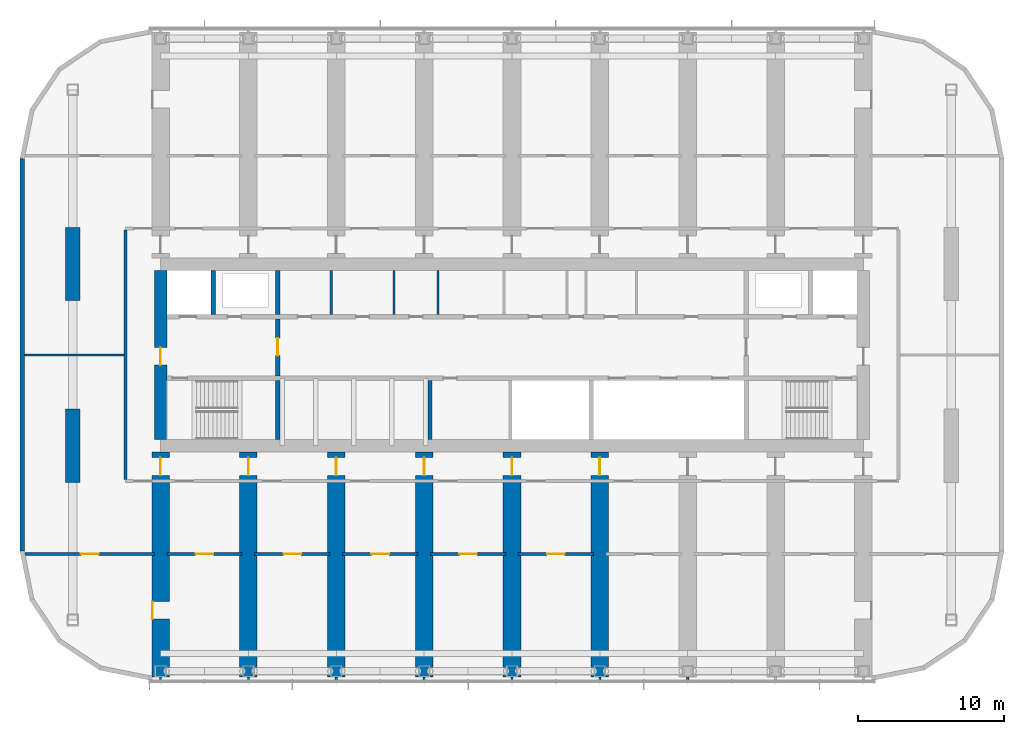
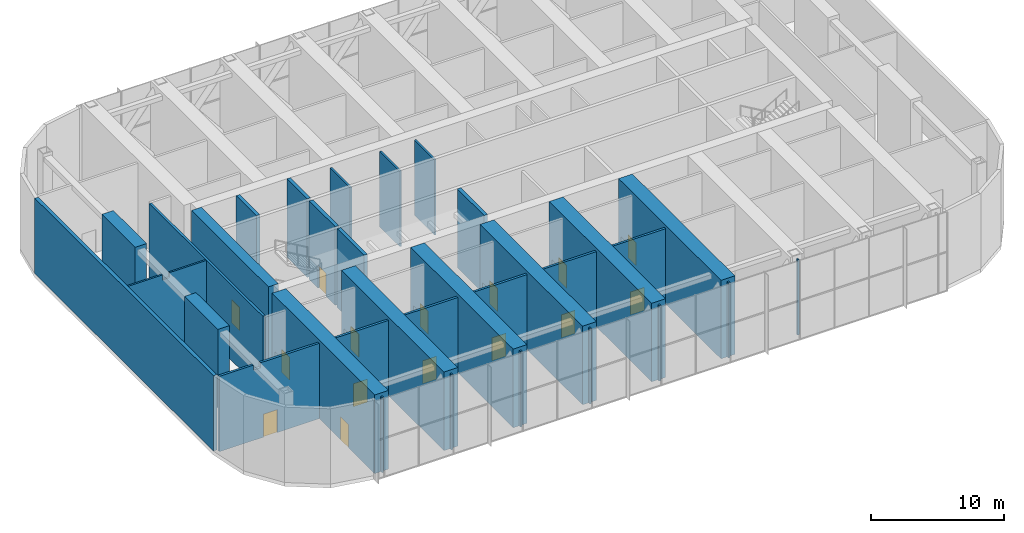
# One storey, part 8 of 22: 33 walls, 15 doors, 15 openings.
"""IFC4 building model written with IfcOpenShell, lengths in metres."""

from ifc_helpers import new_model, si_unit, direction, frame, frame_2d, origin, place, context, subcontext, project, spatial, polyline, rectangle, outline, extrude, clip, halfspace, material, layer, layer_set, type_object, element, fill, save


model = new_model("IFC4")

# Units and contexts
model_context = context("Model", 3, precision=1e-05, world=origin(), true_north=direction((0.0, 1.0)))
body_context = subcontext(model_context, "Body", "Model", "MODEL_VIEW")
ifc_project = project(units=[si_unit("LENGTHUNIT", "METRE"), si_unit("AREAUNIT", "SQUARE_METRE"), si_unit("VOLUMEUNIT", "CUBIC_METRE"), si_unit("PLANEANGLEUNIT", "RADIAN"), si_unit("MASSUNIT", "GRAM", prefix="KILO")], contexts=[model_context])

# Site, building, storey
site_placement = place(None, origin())
site = spatial("IfcSite", under=ifc_project, at=site_placement, CompositionType="ELEMENT")
building_placement = place(site_placement, origin())
building = spatial("IfcBuilding", under=site, at=building_placement, Name="Orbita Commons", CompositionType="ELEMENT")
storey_placement = place(building_placement, frame((0.0, 0.0, 201.10009765625)))
storey = spatial("IfcBuildingStorey", under=building, at=storey_placement, Name="L50", CompositionType="ELEMENT", Elevation=201.10009765625)

# Wall
ifc_material_1 = material(Name="Concrete C50/60", Category="concrete")
ifc_layer_1 = layer(ifc_material_1, 0.300048828125)
ifc_layer_set_1 = layer_set([ifc_layer_1], Name="Concrete C50/60")
wall_type_1 = type_object("IfcWallType", Name="Core inner wall 300 C50/60", PredefinedType="SHEAR", material=ifc_layer_set_1)
wall_1_placement = place(storey_placement, frame((26.0, 26.22509765625, 0.0), z_axis=(0.0, 0.0, 1.0), x_axis=(0.0, 1.0, 0.0)))
element("IfcWall", 1, at=wall_1_placement, inside=storey, type_object=wall_type_1, Name="Stair S1 wall L50", PredefinedType="SHEAR", context=body_context, shape_type="SweptSolid", body=[
    extrude(rectangle(XDim=4.02490234375, YDim=0.300048828125, at=frame_2d((2.012451171875, 0.0))), origin(), (0.0, 0.0, 1.0), 7.199951171875),
])

# Wall, opening, door
wall_2_placement = place(storey_placement, frame((26.0, 30.550048828125, 0.0), z_axis=(0.0, 0.0, 1.0), x_axis=(0.0, 1.0, 0.0)))
wall_2 = element("IfcWall", 2, at=wall_2_placement, inside=storey, type_object=wall_type_1, Name="Firefighting lobby wall west L50", PredefinedType="SHEAR", context=body_context, shape_type="SweptSolid", body=[
    extrude(rectangle(XDim=3.89990234375, YDim=0.300048828125, at=frame_2d((1.949951171875, 0.0))), origin(), (0.0, 0.0, 1.0), 7.199951171875),
])
opening_1_placement = place(wall_2_placement, frame((1.39990234375, 0.0, 0.0)))
opening_1 = element("IfcOpeningElement", 3, at=opening_1_placement, cuts=wall_2, Name="Opening D04", PredefinedType="OPENING", context=body_context, shape_type="SweptSolid", body=[
    extrude(rectangle(XDim=1.199951171875, YDim=2.10009765625, at=frame_2d((0.60009765625, 1.050048828125))), frame((0.0, 0.159912109375, 0.0), z_axis=(0.0, -1.0, 0.0), x_axis=(1.0, 0.0, 0.0)), (0.0, 0.0, 1.0), 0.320068359375),
])
ifc_material_2 = material(Name="Steel-faced fire door leaf", Category="steel")
door_type_1 = type_object("IfcDoorType", Name="Service door 20 min 1200x2100", OperationType="SINGLE_SWING_LEFT", PredefinedType="DOOR", material=ifc_material_2)
door_1_placement = place(opening_1_placement, origin())
door_1 = element("IfcDoor", 4, at=door_1_placement, inside=storey, type_object=door_type_1, Name="Lift lobby door west", OperationType="SINGLE_SWING_LEFT", OverallHeight=2.10009765625, OverallWidth=1.199951171875, PredefinedType="DOOR", context=body_context, shape_type="SweptSolid", body=[
    extrude(rectangle(XDim=1.199951171875, YDim=2.10009765625, at=frame_2d((0.60009765625, 1.050048828125))), frame((0.0, 0.02490234375, 0.0), z_axis=(0.0, -1.0, 0.0), x_axis=(1.0, 0.0, 0.0)), (0.0, 0.0, 1.0), 0.050048828125),
])
fill(opening_1, door_1)

# Walls
for number, where, z_axis, x_axis, name in (
    (5, (21.60009765625, 34.75, 0.0), (0.0, 0.0, 1.0), (0.0, 1.0, 0.0), "Firefighting lift FL1 shaft wall L50"),
    (6, (26.0, 34.75, 0.0), (0.0, 0.0, 1.0), (0.0, 1.0, 0.0), "Riser wall west L50"),
):
    element("IfcWall", number, at=place(storey_placement, frame(where, z_axis=z_axis, x_axis=x_axis)), inside=storey, type_object=wall_type_1, Name=name, PredefinedType="SHEAR", context=body_context, shape_type="SweptSolid", body=[
        extrude(rectangle(XDim=3.02490234375, YDim=0.300048828125, at=frame_2d((1.512451171875, 0.0))), origin(), (0.0, 0.0, 1.0), 7.199951171875),
    ])
wall_3_placement = place(storey_placement, frame((36.39990234375, 26.22509765625, 0.0), z_axis=(0.0, 0.0, 1.0), x_axis=(0.0, 1.0, 0.0)))
element("IfcWall", 7, at=wall_3_placement, inside=storey, type_object=wall_type_1, Name="Hoistway division wall L50", PredefinedType="SHEAR", context=body_context, shape_type="SweptSolid", body=[
    extrude(rectangle(XDim=4.02490234375, YDim=0.300048828125, at=frame_2d((2.012451171875, 0.0))), origin(), (0.0, 0.0, 1.0), 7.199951171875),
])
ifc_material_3 = material(Name="Concrete blockwork", Category="masonry")
ifc_layer_2 = layer(ifc_material_3, 0.14990234375)
ifc_layer_set_2 = layer_set([ifc_layer_2], Name="Concrete blockwork")
wall_type_2 = type_object("IfcWallType", Name="Core partition 150 blockwork", PredefinedType="SOLIDWALL", material=ifc_layer_set_2)
for number, where, z_axis, x_axis, name in (
    (8, (29.65087890625, 34.75, 0.0), (0.0, 0.0, 1.0), (0.0, 1.0, 0.0), "Core partition 150 blockwork L50"),
    (9, (33.9462890625, 34.75, 0.0), (0.0, 0.0, 1.0), (0.0, 1.0, 0.0), "Core partition 150 blockwork L50"),
    (10, (36.9462890625, 34.75, 0.0), (0.0, 0.0, 1.0), (0.0, 1.0, 0.0), "Core partition 150 blockwork L50"),
):
    element("IfcWall", number, at=place(storey_placement, frame(where, z_axis=z_axis, x_axis=x_axis)), inside=storey, type_object=wall_type_2, Name=name, PredefinedType="SOLIDWALL", context=body_context, shape_type="SweptSolid", body=[
        extrude(rectangle(XDim=3.02490234375, YDim=0.14990234375, at=frame_2d((1.512451171875, 0.0))), origin(), (0.0, 0.0, 1.0), 6.89990234375),
    ])

# Wall, opening, door
ifc_material_4 = material(Name="Concrete C50/60", Category="concrete")
ifc_layer_3 = layer(ifc_material_4, 0.85009765625)
ifc_layer_set_3 = layer_set([ifc_layer_3], Name="Concrete C50/60")
wall_type_3 = type_object("IfcWallType", Name="Core wall 850 C50/60", PredefinedType="SHEAR", material=ifc_layer_set_3)
wall_4_placement = place(storey_placement, frame((18.0, 26.22509765625, 0.0), z_axis=(0.0, 0.0, 1.0), x_axis=(0.0, 1.0, 0.0)))
wall_4 = element("IfcWall", 11, at=wall_4_placement, inside=storey, type_object=wall_type_3, Name="Core end wall west L50", PredefinedType="SHEAR", context=body_context, shape_type="SweptSolid", body=[
    extrude(rectangle(XDim=11.5498046875, YDim=0.85009765625, at=frame_2d((5.77490234375, 0.0))), origin(), (0.0, 0.0, 1.0), 7.199951171875),
])
opening_2_placement = place(wall_4_placement, frame((5.074951171875, 0.0, 0.0)))
opening_2 = element("IfcOpeningElement", 12, at=opening_2_placement, cuts=wall_4, Name="Opening D01", PredefinedType="OPENING", context=body_context, shape_type="SweptSolid", body=[
    extrude(rectangle(XDim=1.199951171875, YDim=2.10009765625, at=frame_2d((0.60009765625, 1.050048828125))), frame((0.0, 0.43505859375, 0.0), z_axis=(0.0, -1.0, 0.0), x_axis=(1.0, 0.0, 0.0)), (0.0, 0.0, 1.0), 0.8701171875),
])
ifc_material_5 = material(Name="Steel-faced fire door leaf", Category="steel")
door_type_2 = type_object("IfcDoorType", Name="Fire door 90 min 1200x2100", OperationType="SINGLE_SWING_LEFT", PredefinedType="DOOR", material=ifc_material_5)
door_2_placement = place(opening_2_placement, origin())
door_2 = element("IfcDoor", 13, at=door_2_placement, inside=storey, type_object=door_type_2, Name="Firefighting lobby west door", OperationType="SINGLE_SWING_LEFT", OverallHeight=2.10009765625, OverallWidth=1.199951171875, PredefinedType="DOOR", context=body_context, shape_type="SweptSolid", body=[
    extrude(rectangle(XDim=1.199951171875, YDim=2.10009765625, at=frame_2d((0.60009765625, 1.050048828125))), frame((0.0, 0.02490234375, 0.0), z_axis=(0.0, -1.0, 0.0), x_axis=(1.0, 0.0, 0.0)), (0.0, 0.0, 1.0), 0.050048828125),
])
fill(opening_2, door_2)

# Wall
ifc_material_6 = material(Name="Concrete blockwork", Category="masonry")
ifc_layer_4 = layer(ifc_material_6, 0.199951171875)
ifc_layer_set_4 = layer_set([ifc_layer_4], Name="Concrete blockwork")
wall_type_4 = type_object("IfcWallType", Name="Corridor wall 200 blockwork", PredefinedType="SOLIDWALL", material=ifc_layer_set_4)
wall_5_placement = place(storey_placement, frame((15.60009765625, 23.47509765625, 0.0), z_axis=(0.0, 0.0, 1.0), x_axis=(0.0, 1.0, 0.0)))
element("IfcWall", 14, at=wall_5_placement, inside=storey, type_object=wall_type_4, Name="Corridor wall 200 blockwork L50", PredefinedType="SOLIDWALL", context=body_context, shape_type="SweptSolid", body=[
    extrude(rectangle(XDim=17.0498046875, YDim=0.199951171875, at=frame_2d((8.52490234375, 0.0))), origin(), (0.0, 0.0, 1.0), 6.89990234375),
])

# Wall, opening, door
ifc_material_7 = material(Name="Hollow concrete block 200", Category="concrete")
ifc_layer_5 = layer(ifc_material_7, 0.199951171875)
ifc_layer_set_5 = layer_set([ifc_layer_5], Name="Hollow concrete block 200")
wall_type_5 = type_object("IfcWallType", Name="Corridor wall 200 hollow concrete block", PredefinedType="SOLIDWALL", material=ifc_layer_set_5)
wall_6_placement = place(storey_placement, frame((8.747802734375, 18.39990234375, 0.0), z_axis=(0.0, 0.0, 1.0), x_axis=(1.0, 0.0, 0.0)))
wall_6 = element("IfcWall", 15, at=wall_6_placement, inside=storey, type_object=wall_type_5, Name="Corridor wall 200 hollow concrete block L50", PredefinedType="SOLIDWALL", context=body_context, shape_type="Clipping", body=[
    clip(clip(extrude(outline(polyline([(-0.02978515625, 0.0), (8.85693359375, 0.0), (8.85693359375, 6.89990234375), (3.55419921875, 6.89990234375), (3.55224609375, 6.449951171875), (2.9541015625, 6.449951171875), (2.9521484375, 6.89990234375), (-0.02978515625, 6.89990234375), (-0.02978515625, 0.0)])), frame((0.0, 0.10009765625, 0.0), z_axis=(0.0, -1.0, 0.0), x_axis=(1.0, 0.0, 0.0)), (0.0, 0.0, 1.0), 0.199951171875), halfspace(frame((0.0, 0.0, 0.0), z_axis=(-0.980787601265, -0.195078653892, 0.0)), False)), halfspace(frame((8.8271484375, 0.0, 0.0), z_axis=(1.0, 0.0, 0.0)), False)),
])
opening_3_placement = place(wall_6_placement, frame((3.815185546875, 0.0, 0.0)))
opening_3 = element("IfcOpeningElement", 16, at=opening_3_placement, cuts=wall_6, Name="Opening D01", PredefinedType="OPENING", context=body_context, shape_type="SweptSolid", body=[
    extrude(rectangle(XDim=1.199951171875, YDim=2.10009765625, at=frame_2d((0.60009765625, 1.050048828125))), frame((0.0, 0.10986328125, 0.0), z_axis=(0.0, -1.0, 0.0), x_axis=(1.0, 0.0, 0.0)), (0.0, 0.0, 1.0), 0.219970703125),
])
door_3_placement = place(opening_3_placement, origin())
door_3 = element("IfcDoor", 17, at=door_3_placement, inside=storey, type_object=door_type_2, Name="Refuge area door L50", OperationType="SINGLE_SWING_LEFT", OverallHeight=2.10009765625, OverallWidth=1.199951171875, PredefinedType="DOOR", context=body_context, shape_type="SweptSolid", body=[
    extrude(rectangle(XDim=1.199951171875, YDim=2.10009765625, at=frame_2d((0.60009765625, 1.050048828125))), frame((0.0, 0.02490234375, 0.0), z_axis=(0.0, -1.0, 0.0), x_axis=(1.0, 0.0, 0.0)), (0.0, 0.0, 1.0), 0.050048828125),
])
fill(opening_3, door_3)

wall_7_placement = place(storey_placement, frame((18.425048828125, 18.39990234375, 0.0), z_axis=(0.0, 0.0, 1.0), x_axis=(1.0, 0.0, 0.0)))
wall_7 = element("IfcWall", 18, at=wall_7_placement, inside=storey, type_object=wall_type_5, Name="Corridor wall 200 hollow concrete block L50", PredefinedType="SOLIDWALL", context=body_context, shape_type="SweptSolid", body=[
    extrude(rectangle(XDim=5.14990234375, YDim=0.199951171875, at=frame_2d((2.574951171875, 0.0))), origin(), (0.0, 0.0, 1.0), 6.89990234375),
])
opening_4_placement = place(wall_7_placement, frame((1.97509765625, 0.0, 0.0)))
opening_4 = element("IfcOpeningElement", 19, at=opening_4_placement, cuts=wall_7, Name="Opening D01", PredefinedType="OPENING", context=body_context, shape_type="SweptSolid", body=[
    extrude(rectangle(XDim=1.199951171875, YDim=2.10009765625, at=frame_2d((0.60009765625, 1.050048828125))), frame((0.0, 0.10986328125, 0.0), z_axis=(0.0, -1.0, 0.0), x_axis=(1.0, 0.0, 0.0)), (0.0, 0.0, 1.0), 0.219970703125),
])
door_4_placement = place(opening_4_placement, origin())
door_4 = element("IfcDoor", 20, at=door_4_placement, inside=storey, type_object=door_type_2, Name="Refuge area door L50", OperationType="SINGLE_SWING_LEFT", OverallHeight=2.10009765625, OverallWidth=1.199951171875, PredefinedType="DOOR", context=body_context, shape_type="SweptSolid", body=[
    extrude(rectangle(XDim=1.199951171875, YDim=2.10009765625, at=frame_2d((0.60009765625, 1.050048828125))), frame((0.0, 0.02490234375, 0.0), z_axis=(0.0, -1.0, 0.0), x_axis=(1.0, 0.0, 0.0)), (0.0, 0.0, 1.0), 0.050048828125),
])
fill(opening_4, door_4)

wall_8_placement = place(storey_placement, frame((24.425048828125, 18.39990234375, 0.0), z_axis=(0.0, 0.0, 1.0), x_axis=(1.0, 0.0, 0.0)))
wall_8 = element("IfcWall", 21, at=wall_8_placement, inside=storey, type_object=wall_type_5, Name="Corridor wall 200 hollow concrete block L50", PredefinedType="SOLIDWALL", context=body_context, shape_type="SweptSolid", body=[
    extrude(rectangle(XDim=5.14990234375, YDim=0.199951171875, at=frame_2d((2.574951171875, 0.0))), origin(), (0.0, 0.0, 1.0), 6.89990234375),
])
opening_5_placement = place(wall_8_placement, frame((1.97509765625, 0.0, 0.0)))
opening_5 = element("IfcOpeningElement", 22, at=opening_5_placement, cuts=wall_8, Name="Opening D01", PredefinedType="OPENING", context=body_context, shape_type="SweptSolid", body=[
    extrude(rectangle(XDim=1.199951171875, YDim=2.10009765625, at=frame_2d((0.60009765625, 1.050048828125))), frame((0.0, 0.10986328125, 0.0), z_axis=(0.0, -1.0, 0.0), x_axis=(1.0, 0.0, 0.0)), (0.0, 0.0, 1.0), 0.219970703125),
])
door_5_placement = place(opening_5_placement, origin())
door_5 = element("IfcDoor", 23, at=door_5_placement, inside=storey, type_object=door_type_2, Name="Refuge area door L50", OperationType="SINGLE_SWING_LEFT", OverallHeight=2.10009765625, OverallWidth=1.199951171875, PredefinedType="DOOR", context=body_context, shape_type="SweptSolid", body=[
    extrude(rectangle(XDim=1.199951171875, YDim=2.10009765625, at=frame_2d((0.60009765625, 1.050048828125))), frame((0.0, 0.02490234375, 0.0), z_axis=(0.0, -1.0, 0.0), x_axis=(1.0, 0.0, 0.0)), (0.0, 0.0, 1.0), 0.050048828125),
])
fill(opening_5, door_5)

wall_9_placement = place(storey_placement, frame((30.425048828125, 18.39990234375, 0.0), z_axis=(0.0, 0.0, 1.0), x_axis=(1.0, 0.0, 0.0)))
wall_9 = element("IfcWall", 24, at=wall_9_placement, inside=storey, type_object=wall_type_5, Name="Corridor wall 200 hollow concrete block L50", PredefinedType="SOLIDWALL", context=body_context, shape_type="SweptSolid", body=[
    extrude(rectangle(XDim=5.14990234375, YDim=0.199951171875, at=frame_2d((2.574951171875, 0.0))), origin(), (0.0, 0.0, 1.0), 6.89990234375),
])
opening_6_placement = place(wall_9_placement, frame((1.97509765625, 0.0, 0.0)))
opening_6 = element("IfcOpeningElement", 25, at=opening_6_placement, cuts=wall_9, Name="Opening D01", PredefinedType="OPENING", context=body_context, shape_type="SweptSolid", body=[
    extrude(rectangle(XDim=1.199951171875, YDim=2.10009765625, at=frame_2d((0.60009765625, 1.050048828125))), frame((0.0, 0.10986328125, 0.0), z_axis=(0.0, -1.0, 0.0), x_axis=(1.0, 0.0, 0.0)), (0.0, 0.0, 1.0), 0.219970703125),
])
door_6_placement = place(opening_6_placement, origin())
door_6 = element("IfcDoor", 26, at=door_6_placement, inside=storey, type_object=door_type_2, Name="Refuge area door L50", OperationType="SINGLE_SWING_LEFT", OverallHeight=2.10009765625, OverallWidth=1.199951171875, PredefinedType="DOOR", context=body_context, shape_type="SweptSolid", body=[
    extrude(rectangle(XDim=1.199951171875, YDim=2.10009765625, at=frame_2d((0.60009765625, 1.050048828125))), frame((0.0, 0.02490234375, 0.0), z_axis=(0.0, -1.0, 0.0), x_axis=(1.0, 0.0, 0.0)), (0.0, 0.0, 1.0), 0.050048828125),
])
fill(opening_6, door_6)

wall_10_placement = place(storey_placement, frame((36.425048828125, 18.39990234375, 0.0), z_axis=(0.0, 0.0, 1.0), x_axis=(1.0, 0.0, 0.0)))
wall_10 = element("IfcWall", 27, at=wall_10_placement, inside=storey, type_object=wall_type_5, Name="Corridor wall 200 hollow concrete block L50", PredefinedType="SOLIDWALL", context=body_context, shape_type="SweptSolid", body=[
    extrude(rectangle(XDim=5.14990234375, YDim=0.199951171875, at=frame_2d((2.574951171875, 0.0))), origin(), (0.0, 0.0, 1.0), 6.89990234375),
])
opening_7_placement = place(wall_10_placement, frame((1.97509765625, 0.0, 0.0)))
opening_7 = element("IfcOpeningElement", 28, at=opening_7_placement, cuts=wall_10, Name="Opening D01", PredefinedType="OPENING", context=body_context, shape_type="SweptSolid", body=[
    extrude(rectangle(XDim=1.199951171875, YDim=2.10009765625, at=frame_2d((0.60009765625, 1.050048828125))), frame((0.0, 0.10986328125, 0.0), z_axis=(0.0, -1.0, 0.0), x_axis=(1.0, 0.0, 0.0)), (0.0, 0.0, 1.0), 0.219970703125),
])
door_7_placement = place(opening_7_placement, origin())
door_7 = element("IfcDoor", 29, at=door_7_placement, inside=storey, type_object=door_type_2, Name="Refuge area door L50", OperationType="SINGLE_SWING_LEFT", OverallHeight=2.10009765625, OverallWidth=1.199951171875, PredefinedType="DOOR", context=body_context, shape_type="SweptSolid", body=[
    extrude(rectangle(XDim=1.199951171875, YDim=2.10009765625, at=frame_2d((0.60009765625, 1.050048828125))), frame((0.0, 0.02490234375, 0.0), z_axis=(0.0, -1.0, 0.0), x_axis=(1.0, 0.0, 0.0)), (0.0, 0.0, 1.0), 0.050048828125),
])
fill(opening_7, door_7)

wall_11_placement = place(storey_placement, frame((42.425048828125, 18.39990234375, 0.0), z_axis=(0.0, 0.0, 1.0), x_axis=(1.0, 0.0, 0.0)))
wall_11 = element("IfcWall", 30, at=wall_11_placement, inside=storey, type_object=wall_type_5, Name="Corridor wall 200 hollow concrete block L50", PredefinedType="SOLIDWALL", context=body_context, shape_type="SweptSolid", body=[
    extrude(rectangle(XDim=5.14990234375, YDim=0.199951171875, at=frame_2d((2.574951171875, 0.0))), origin(), (0.0, 0.0, 1.0), 6.89990234375),
])
opening_8_placement = place(wall_11_placement, frame((1.97509765625, 0.0, 0.0)))
opening_8 = element("IfcOpeningElement", 31, at=opening_8_placement, cuts=wall_11, Name="Opening D01", PredefinedType="OPENING", context=body_context, shape_type="SweptSolid", body=[
    extrude(rectangle(XDim=1.199951171875, YDim=2.10009765625, at=frame_2d((0.60009765625, 1.050048828125))), frame((0.0, 0.10986328125, 0.0), z_axis=(0.0, -1.0, 0.0), x_axis=(1.0, 0.0, 0.0)), (0.0, 0.0, 1.0), 0.219970703125),
])
door_8_placement = place(opening_8_placement, origin())
door_8 = element("IfcDoor", 32, at=door_8_placement, inside=storey, type_object=door_type_2, Name="Refuge area door L50", OperationType="SINGLE_SWING_LEFT", OverallHeight=2.10009765625, OverallWidth=1.199951171875, PredefinedType="DOOR", context=body_context, shape_type="SweptSolid", body=[
    extrude(rectangle(XDim=1.199951171875, YDim=2.10009765625, at=frame_2d((0.60009765625, 1.050048828125))), frame((0.0, 0.02490234375, 0.0), z_axis=(0.0, -1.0, 0.0), x_axis=(1.0, 0.0, 0.0)), (0.0, 0.0, 1.0), 0.050048828125),
])
fill(opening_8, door_8)

# Walls
ifc_material_8 = material(Name="Concrete C50/60", Category="concrete")
ifc_layer_6 = layer(ifc_material_8, 1.0)
ifc_layer_set_6 = layer_set([ifc_layer_6], Name="Concrete C50/60")
wall_type_6 = type_object("IfcWallType", Name="End pier 1000x5000 C50/60", PredefinedType="SHEAR", material=ifc_layer_set_6)
for number, where, z_axis, x_axis, name in (
    (33, (12.0, 23.300048828125, 0.0), (0.0, 0.0, 1.0), (0.0, 1.0, 0.0), "End pier 3/C L50"),
    (34, (12.0, 35.699951171875, 0.0), (0.0, 0.0, 1.0), (0.0, 1.0, 0.0), "End pier 3/D L50"),
):
    element("IfcWall", number, at=place(storey_placement, frame(where, z_axis=z_axis, x_axis=x_axis)), inside=storey, type_object=wall_type_6, Name=name, PredefinedType="SHEAR", context=body_context, shape_type="SweptSolid", body=[
        extrude(rectangle(XDim=5.0, YDim=1.0, at=frame_2d((2.5, 0.0))), origin(), (0.0, 0.0, 1.0), 7.199951171875),
    ])

# Wall, openings, doors
ifc_material_9 = material(Name="Concrete C50/60", Category="concrete")
ifc_layer_7 = layer(ifc_material_9, 1.199951171875)
ifc_layer_set_7 = layer_set([ifc_layer_7], Name="Concrete C50/60")
wall_type_7 = type_object("IfcWallType", Name="Outrigger wall 1200 C50/60", PredefinedType="SHEAR", material=ifc_layer_set_7)
wall_12_placement = place(storey_placement, frame((18.0, 10.0, 0.0), z_axis=(0.0, 0.0, 1.0), x_axis=(0.0, 1.0, 0.0)))
wall_12 = element("IfcWall", 35, at=wall_12_placement, inside=storey, type_object=wall_type_7, Name="Outrigger wall 4 south L50", PredefinedType="SHEAR", context=body_context, shape_type="SweptSolid", body=[
    extrude(rectangle(XDim=15.375, YDim=1.199951171875, at=frame_2d((7.6875, 0.0))), origin(), (0.0, 0.0, 1.0), 7.199951171875),
])
opening_9_placement = place(wall_12_placement, frame((13.77490234375, 0.0, 0.0)))
opening_9 = element("IfcOpeningElement", 36, at=opening_9_placement, cuts=wall_12, Name="Opening D01", PredefinedType="OPENING", context=body_context, shape_type="SweptSolid", body=[
    extrude(rectangle(XDim=1.199951171875, YDim=2.10009765625, at=frame_2d((0.60009765625, 1.050048828125))), frame((0.0, 0.60986328125, 0.0), z_axis=(0.0, -1.0, 0.0), x_axis=(1.0, 0.0, 0.0)), (0.0, 0.0, 1.0), 1.219970703125),
])
opening_10_placement = place(wall_12_placement, frame((3.949951171875, 0.0, 0.0)))
opening_10 = element("IfcOpeningElement", 37, at=opening_10_placement, cuts=wall_12, Name="Opening D01", PredefinedType="OPENING", context=body_context, shape_type="SweptSolid", body=[
    extrude(rectangle(XDim=1.199951171875, YDim=2.10009765625, at=frame_2d((0.60009765625, 1.050048828125))), frame((0.0, 0.60986328125, 0.0), z_axis=(0.0, -1.0, 0.0), x_axis=(1.0, 0.0, 0.0)), (0.0, 0.0, 1.0), 1.219970703125),
])
door_9_placement = place(opening_9_placement, origin())
door_9 = element("IfcDoor", 38, at=door_9_placement, inside=storey, type_object=door_type_2, Name="Corridor door through cross wall S L50", OperationType="SINGLE_SWING_LEFT", OverallHeight=2.10009765625, OverallWidth=1.199951171875, PredefinedType="DOOR", context=body_context, shape_type="SweptSolid", body=[
    extrude(rectangle(XDim=1.199951171875, YDim=2.10009765625, at=frame_2d((0.60009765625, 1.050048828125))), frame((0.0, 0.02490234375, 0.0), z_axis=(0.0, -1.0, 0.0), x_axis=(1.0, 0.0, 0.0)), (0.0, 0.0, 1.0), 0.050048828125),
])
fill(opening_9, door_9)
door_10_placement = place(opening_10_placement, origin())
door_10 = element("IfcDoor", 39, at=door_10_placement, inside=storey, type_object=door_type_2, Name="Refuge area connecting door L50", OperationType="SINGLE_SWING_LEFT", OverallHeight=2.10009765625, OverallWidth=1.199951171875, PredefinedType="DOOR", context=body_context, shape_type="SweptSolid", body=[
    extrude(rectangle(XDim=1.199951171875, YDim=2.10009765625, at=frame_2d((0.60009765625, 1.050048828125))), frame((0.0, 0.5849609375, 0.0), z_axis=(0.0, -1.0, 0.0), x_axis=(1.0, 0.0, 0.0)), (0.0, 0.0, 1.0), 0.050048828125),
])
fill(opening_10, door_10)

# Wall, opening, door
wall_13_placement = place(storey_placement, frame((24.0, 10.0, 0.0), z_axis=(0.0, 0.0, 1.0), x_axis=(0.0, 1.0, 0.0)))
wall_13 = element("IfcWall", 40, at=wall_13_placement, inside=storey, type_object=wall_type_7, Name="Outrigger wall 5 south L50", PredefinedType="SHEAR", context=body_context, shape_type="SweptSolid", body=[
    extrude(rectangle(XDim=15.375, YDim=1.199951171875, at=frame_2d((7.6875, 0.0))), origin(), (0.0, 0.0, 1.0), 7.199951171875),
])
opening_11_placement = place(wall_13_placement, frame((13.77490234375, 0.0, 0.0)))
opening_11 = element("IfcOpeningElement", 41, at=opening_11_placement, cuts=wall_13, Name="Opening D01", PredefinedType="OPENING", context=body_context, shape_type="SweptSolid", body=[
    extrude(rectangle(XDim=1.199951171875, YDim=2.10009765625, at=frame_2d((0.60009765625, 1.050048828125))), frame((0.0, 0.60986328125, 0.0), z_axis=(0.0, -1.0, 0.0), x_axis=(1.0, 0.0, 0.0)), (0.0, 0.0, 1.0), 1.219970703125),
])
door_11_placement = place(opening_11_placement, origin())
door_11 = element("IfcDoor", 42, at=door_11_placement, inside=storey, type_object=door_type_2, Name="Corridor door through cross wall S L50", OperationType="SINGLE_SWING_LEFT", OverallHeight=2.10009765625, OverallWidth=1.199951171875, PredefinedType="DOOR", context=body_context, shape_type="SweptSolid", body=[
    extrude(rectangle(XDim=1.199951171875, YDim=2.10009765625, at=frame_2d((0.60009765625, 1.050048828125))), frame((0.0, 0.02490234375, 0.0), z_axis=(0.0, -1.0, 0.0), x_axis=(1.0, 0.0, 0.0)), (0.0, 0.0, 1.0), 0.050048828125),
])
fill(opening_11, door_11)

wall_14_placement = place(storey_placement, frame((30.0, 10.0, 0.0), z_axis=(0.0, 0.0, 1.0), x_axis=(0.0, 1.0, 0.0)))
wall_14 = element("IfcWall", 43, at=wall_14_placement, inside=storey, type_object=wall_type_7, Name="Outrigger wall 6 south L50", PredefinedType="SHEAR", context=body_context, shape_type="SweptSolid", body=[
    extrude(rectangle(XDim=15.375, YDim=1.199951171875, at=frame_2d((7.6875, 0.0))), origin(), (0.0, 0.0, 1.0), 7.199951171875),
])
opening_12_placement = place(wall_14_placement, frame((13.77490234375, 0.0, 0.0)))
opening_12 = element("IfcOpeningElement", 44, at=opening_12_placement, cuts=wall_14, Name="Opening D01", PredefinedType="OPENING", context=body_context, shape_type="SweptSolid", body=[
    extrude(rectangle(XDim=1.199951171875, YDim=2.10009765625, at=frame_2d((0.60009765625, 1.050048828125))), frame((0.0, 0.60986328125, 0.0), z_axis=(0.0, -1.0, 0.0), x_axis=(1.0, 0.0, 0.0)), (0.0, 0.0, 1.0), 1.219970703125),
])
door_12_placement = place(opening_12_placement, origin())
door_12 = element("IfcDoor", 45, at=door_12_placement, inside=storey, type_object=door_type_2, Name="Corridor door through cross wall S L50", OperationType="SINGLE_SWING_LEFT", OverallHeight=2.10009765625, OverallWidth=1.199951171875, PredefinedType="DOOR", context=body_context, shape_type="SweptSolid", body=[
    extrude(rectangle(XDim=1.199951171875, YDim=2.10009765625, at=frame_2d((0.60009765625, 1.050048828125))), frame((0.0, 0.02490234375, 0.0), z_axis=(0.0, -1.0, 0.0), x_axis=(1.0, 0.0, 0.0)), (0.0, 0.0, 1.0), 0.050048828125),
])
fill(opening_12, door_12)

wall_15_placement = place(storey_placement, frame((36.0, 10.0, 0.0), z_axis=(0.0, 0.0, 1.0), x_axis=(0.0, 1.0, 0.0)))
wall_15 = element("IfcWall", 46, at=wall_15_placement, inside=storey, type_object=wall_type_7, Name="Outrigger wall 7 south L50", PredefinedType="SHEAR", context=body_context, shape_type="SweptSolid", body=[
    extrude(rectangle(XDim=15.375, YDim=1.199951171875, at=frame_2d((7.6875, 0.0))), origin(), (0.0, 0.0, 1.0), 7.199951171875),
])
opening_13_placement = place(wall_15_placement, frame((13.77490234375, 0.0, 0.0)))
opening_13 = element("IfcOpeningElement", 47, at=opening_13_placement, cuts=wall_15, Name="Opening D01", PredefinedType="OPENING", context=body_context, shape_type="SweptSolid", body=[
    extrude(rectangle(XDim=1.199951171875, YDim=2.10009765625, at=frame_2d((0.60009765625, 1.050048828125))), frame((0.0, 0.60986328125, 0.0), z_axis=(0.0, -1.0, 0.0), x_axis=(1.0, 0.0, 0.0)), (0.0, 0.0, 1.0), 1.219970703125),
])
door_13_placement = place(opening_13_placement, origin())
door_13 = element("IfcDoor", 48, at=door_13_placement, inside=storey, type_object=door_type_2, Name="Corridor door through cross wall S L50", OperationType="SINGLE_SWING_LEFT", OverallHeight=2.10009765625, OverallWidth=1.199951171875, PredefinedType="DOOR", context=body_context, shape_type="SweptSolid", body=[
    extrude(rectangle(XDim=1.199951171875, YDim=2.10009765625, at=frame_2d((0.60009765625, 1.050048828125))), frame((0.0, 0.02490234375, 0.0), z_axis=(0.0, -1.0, 0.0), x_axis=(1.0, 0.0, 0.0)), (0.0, 0.0, 1.0), 0.050048828125),
])
fill(opening_13, door_13)

wall_16_placement = place(storey_placement, frame((42.0, 10.0, 0.0), z_axis=(0.0, 0.0, 1.0), x_axis=(0.0, 1.0, 0.0)))
wall_16 = element("IfcWall", 49, at=wall_16_placement, inside=storey, type_object=wall_type_7, Name="Outrigger wall 8 south L50", PredefinedType="SHEAR", context=body_context, shape_type="SweptSolid", body=[
    extrude(rectangle(XDim=15.375, YDim=1.199951171875, at=frame_2d((7.6875, 0.0))), origin(), (0.0, 0.0, 1.0), 7.199951171875),
])
opening_14_placement = place(wall_16_placement, frame((13.77490234375, 0.0, 0.0)))
opening_14 = element("IfcOpeningElement", 50, at=opening_14_placement, cuts=wall_16, Name="Opening D01", PredefinedType="OPENING", context=body_context, shape_type="SweptSolid", body=[
    extrude(rectangle(XDim=1.199951171875, YDim=2.10009765625, at=frame_2d((0.60009765625, 1.050048828125))), frame((0.0, 0.60986328125, 0.0), z_axis=(0.0, -1.0, 0.0), x_axis=(1.0, 0.0, 0.0)), (0.0, 0.0, 1.0), 1.219970703125),
])
door_14_placement = place(opening_14_placement, origin())
door_14 = element("IfcDoor", 51, at=door_14_placement, inside=storey, type_object=door_type_2, Name="Corridor door through cross wall S L50", OperationType="SINGLE_SWING_LEFT", OverallHeight=2.10009765625, OverallWidth=1.199951171875, PredefinedType="DOOR", context=body_context, shape_type="SweptSolid", body=[
    extrude(rectangle(XDim=1.199951171875, YDim=2.10009765625, at=frame_2d((0.60009765625, 1.050048828125))), frame((0.0, 0.02490234375, 0.0), z_axis=(0.0, -1.0, 0.0), x_axis=(1.0, 0.0, 0.0)), (0.0, 0.0, 1.0), 0.050048828125),
])
fill(opening_14, door_14)

wall_17_placement = place(storey_placement, frame((48.0, 10.0, 0.0), z_axis=(0.0, 0.0, 1.0), x_axis=(0.0, 1.0, 0.0)))
wall_17 = element("IfcWall", 52, at=wall_17_placement, inside=storey, type_object=wall_type_7, Name="Outrigger wall 9 south L50", PredefinedType="SHEAR", context=body_context, shape_type="SweptSolid", body=[
    extrude(rectangle(XDim=15.375, YDim=1.199951171875, at=frame_2d((7.6875, 0.0))), origin(), (0.0, 0.0, 1.0), 7.199951171875),
])
opening_15_placement = place(wall_17_placement, frame((13.77490234375, 0.0, 0.0)))
opening_15 = element("IfcOpeningElement", 53, at=opening_15_placement, cuts=wall_17, Name="Opening D01", PredefinedType="OPENING", context=body_context, shape_type="SweptSolid", body=[
    extrude(rectangle(XDim=1.199951171875, YDim=2.10009765625, at=frame_2d((0.60009765625, 1.050048828125))), frame((0.0, 0.60986328125, 0.0), z_axis=(0.0, -1.0, 0.0), x_axis=(1.0, 0.0, 0.0)), (0.0, 0.0, 1.0), 1.219970703125),
])
door_15_placement = place(opening_15_placement, origin())
door_15 = element("IfcDoor", 54, at=door_15_placement, inside=storey, type_object=door_type_2, Name="Corridor door through cross wall S L50", OperationType="SINGLE_SWING_LEFT", OverallHeight=2.10009765625, OverallWidth=1.199951171875, PredefinedType="DOOR", context=body_context, shape_type="SweptSolid", body=[
    extrude(rectangle(XDim=1.199951171875, YDim=2.10009765625, at=frame_2d((0.60009765625, 1.050048828125))), frame((0.0, 0.02490234375, 0.0), z_axis=(0.0, -1.0, 0.0), x_axis=(1.0, 0.0, 0.0)), (0.0, 0.0, 1.0), 0.050048828125),
])
fill(opening_15, door_15)

# Walls
ifc_material_10 = material(Name="Gypsum plasterboard on steel studs", Category="steel")
ifc_layer_8 = layer(ifc_material_10, 0.14990234375)
ifc_layer_set_8 = layer_set([ifc_layer_8], Name="Gypsum plasterboard on steel studs")
wall_type_8 = type_object("IfcWallType", Name="Partition 150 plasterboard", PredefinedType="PARTITIONING", material=ifc_layer_set_8)
wall_18_placement = place(storey_placement, frame((8.705078125, 32.0, 0.0), z_axis=(0.0, 0.0, 1.0), x_axis=(1.0, 0.0, 0.0)))
element("IfcWall", 55, at=wall_18_placement, inside=storey, type_object=wall_type_8, Name="Partition 150 plasterboard L50", PredefinedType="PARTITIONING", context=body_context, shape_type="SweptSolid", body=[
    extrude(outline(polyline([(0.0, 0.0), (6.794921875, 0.0), (6.794921875, 6.89990234375), (3.596923828125, 6.89990234375), (3.594970703125, 6.449951171875), (2.9970703125, 6.449951171875), (2.9951171875, 6.89990234375), (0.0, 6.89990234375), (0.0, 0.0)])), frame((0.0, 0.074951171875, 0.0), z_axis=(0.0, -1.0, 0.0), x_axis=(1.0, 0.0, 0.0)), (0.0, 0.0, 1.0), 0.14990234375),
])
for number, where, z_axis, x_axis, name in (
    (56, (18.0, 10.0, 0.0), (0.0, 0.0, 1.0), (0.0, -1.0, 0.0), "Partition 150 plasterboard L50"),
    (57, (24.0, 10.0, 0.0), (0.0, 0.0, 1.0), (0.0, -1.0, 0.0), "Partition 150 plasterboard L50"),
    (58, (30.0, 10.0, 0.0), (0.0, 0.0, 1.0), (0.0, -1.0, 0.0), "Partition 150 plasterboard L50"),
    (59, (36.0, 10.0, 0.0), (0.0, 0.0, 1.0), (0.0, -1.0, 0.0), "Partition 150 plasterboard L50"),
    (60, (42.0, 10.0, 0.0), (0.0, 0.0, 1.0), (0.0, -1.0, 0.0), "Partition 150 plasterboard L50"),
    (61, (48.0, 10.0, 0.0), (0.0, 0.0, 1.0), (0.0, -1.0, 0.0), "Partition 150 plasterboard L50"),
    (62, (54.0, 10.0, 0.0), (0.0, 0.0, 1.0), (0.0, -1.0, 0.0), "Partition 150 plasterboard L50"),
):
    element("IfcWall", number, at=place(storey_placement, frame(where, z_axis=z_axis, x_axis=x_axis)), inside=storey, type_object=wall_type_8, Name=name, PredefinedType="PARTITIONING", context=body_context, shape_type="SweptSolid", body=[
        extrude(rectangle(XDim=0.18994140625, YDim=0.14990234375, at=frame_2d((0.094970703125, 0.0))), origin(), (0.0, 0.0, 1.0), 6.89990234375),
    ])
ifc_material_11 = material(Name="Precast concrete C40/50, white board-marked finish", Category="concrete")
ifc_layer_9 = layer(ifc_material_11, 0.300048828125)
ifc_layer_set_9 = layer_set([ifc_layer_9], Name="Precast concrete C40/50, white board-marked finish")
wall_type_9 = type_object("IfcWallType", Name="Precast concrete end shield 300", PredefinedType="SOLIDWALL", material=ifc_layer_set_9)
wall_19_placement = place(storey_placement, frame((8.550048828125, 45.39990234375, 0.0), z_axis=(0.0, 0.0, 1.0), x_axis=(0.0, -1.0, 0.0)))
element("IfcWall", 63, at=wall_19_placement, inside=storey, type_object=wall_type_9, Name="End shield W L50", PredefinedType="SOLIDWALL", context=body_context, shape_type="SweptSolid", body=[
    extrude(outline(polyline([(-0.014892578125, -0.14990234375), (26.814697265625, -0.14990234375), (26.784912109375, 0.14990234375), (0.014892578125, 0.14990234375), (-0.014892578125, -0.14990234375)])), origin(), (0.0, 0.0, 1.0), 6.89990234375),
])

save(model, "model.ifc")
